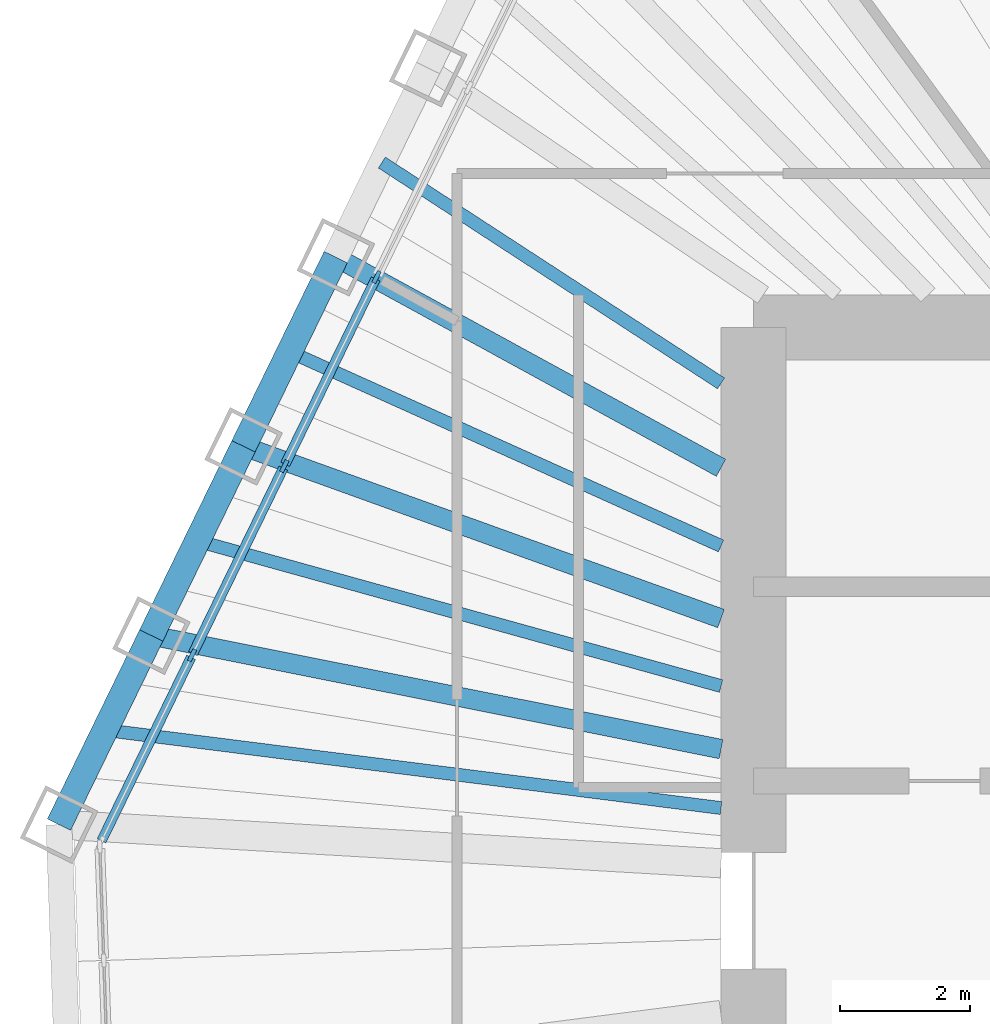
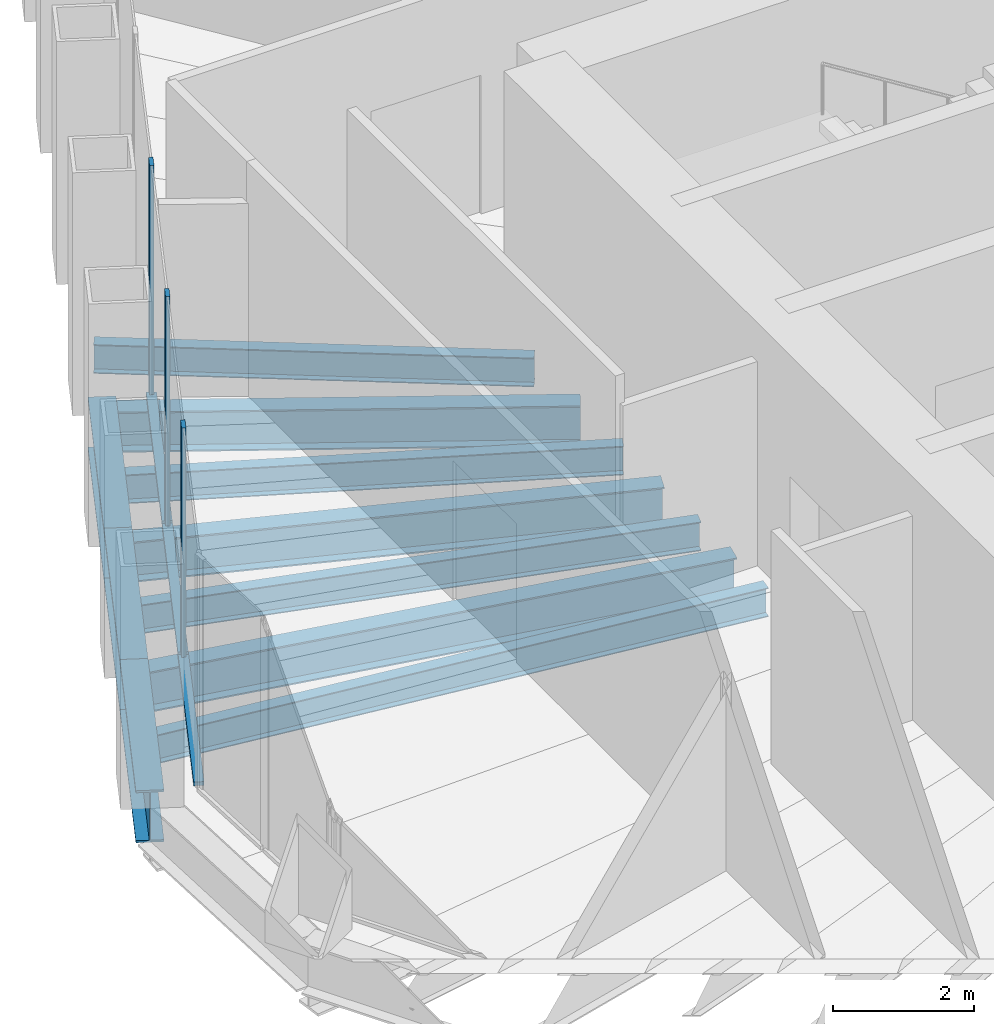
# One storey, part 4 of 14: 10 beams, 6 members, 1 element without a shape of its own.
"""IFC4 building model written with IfcOpenShell, lengths in metres."""

from ifc_helpers import new_model, si_unit, direction, frame, origin, origin_2d, place, context, subcontext, project, spatial, rectangle, i_section, extrude, material, material_profile, profile_set, type_object, element, aggregate, save


model = new_model("IFC4")

# Units and contexts
model_context = context("Model", 3, precision=1e-05, world=origin(), true_north=direction((0.0, 1.0)))
body_context = subcontext(model_context, "Body", "Model", "MODEL_VIEW")
ifc_project = project(units=[si_unit("LENGTHUNIT", "METRE"), si_unit("AREAUNIT", "SQUARE_METRE"), si_unit("VOLUMEUNIT", "CUBIC_METRE"), si_unit("PLANEANGLEUNIT", "RADIAN"), si_unit("MASSUNIT", "GRAM", prefix="KILO")], contexts=[model_context])

# Site, building, storey
site_placement = place(None, origin())
site = spatial("IfcSite", under=ifc_project, at=site_placement, CompositionType="ELEMENT")
building_placement = place(site_placement, origin())
building = spatial("IfcBuilding", under=site, at=building_placement, Name="Qingtian Harvest Tower", CompositionType="ELEMENT")
storey_placement = place(building_placement, frame((0.0, 0.0, 291.39990234375)))
storey = spatial("IfcBuildingStorey", under=building, at=storey_placement, Name="L64", CompositionType="ELEMENT", Elevation=291.39990234375)

# Beams
ifc_material_1 = material(Name="Steel SN490B", Category="steel")
ifc_material_profile_1 = material_profile(ifc_material_1, i_section(OverallWidth=0.300048828125, OverallDepth=0.699951171875, WebThickness=0.012939453125, FlangeThickness=0.02392578125, at=origin_2d()), Name="H700x300x13x24")
ifc_profile_set_1 = profile_set([ifc_material_profile_1], Name="Steel SN490B")
beam_type_1 = type_object("IfcBeamType", Name="Floor beam FB4 H700x300x13x24", PredefinedType="BEAM", material=ifc_profile_set_1)
beam_1_placement = place(storey_placement, frame((-21.29345703125, 4.246337890625, -0.52001953125), z_axis=(0.980688391079, -0.195576786971, 0.0), x_axis=(0.195576786971, 0.980688391079, 0.0)))
element("IfcBeam", 1, at=beam_1_placement, inside=storey, type_object=beam_type_1, Name="Floor beam FB4 NW1", PredefinedType="BEAM", context=body_context, shape_type="SweptSolid", body=[
    extrude(i_section(OverallWidth=0.300048828125, OverallDepth=0.699951171875, WebThickness=0.012939453125, FlangeThickness=0.02392578125, at=origin_2d()), origin(), (0.0, 0.0, 1.0), 8.966552734375),
])
beam_2_placement = place(storey_placement, frame((-19.86962890625, 7.165771484375, -0.52001953125), z_axis=(0.940688220757, -0.339272267256, 0.0), x_axis=(0.339272267256, 0.940688220757, 0.0)))
element("IfcBeam", 2, at=beam_2_placement, inside=storey, type_object=beam_type_1, Name="Floor beam FB4 NW2", PredefinedType="BEAM", context=body_context, shape_type="SweptSolid", body=[
    extrude(i_section(OverallWidth=0.300048828125, OverallDepth=0.699951171875, WebThickness=0.012939453125, FlangeThickness=0.02392578125, at=origin_2d()), origin(), (0.0, 0.0, 1.0), 7.834228515625),
])
beam_3_placement = place(storey_placement, frame((-18.44580078125, 10.0849609375, -0.52001953125), z_axis=(0.877425639682, -0.479712671116, 0.0), x_axis=(0.479712671116, 0.877425639682, 0.0)))
element("IfcBeam", 3, at=beam_3_placement, inside=storey, type_object=beam_type_1, Name="Floor beam FB4 NW3", PredefinedType="BEAM", context=body_context, shape_type="SweptSolid", body=[
    extrude(i_section(OverallWidth=0.300048828125, OverallDepth=0.699951171875, WebThickness=0.012939453125, FlangeThickness=0.02392578125, at=origin_2d()), origin(), (0.0, 0.0, 1.0), 6.7763671875),
])
ifc_material_2 = material(Name="Steel SN490B", Category="steel")
ifc_material_profile_2 = material_profile(ifc_material_2, i_section(OverallWidth=0.199951171875, OverallDepth=0.5, WebThickness=0.010009765625, FlangeThickness=0.01611328125, at=origin_2d()), Name="H500x200x10x16")
ifc_profile_set_2 = profile_set([ifc_material_profile_2], Name="Steel SN490B")
beam_type_2 = type_object("IfcBeamType", Name="Floor joist J3 H500x200x10x16", PredefinedType="JOIST", material=ifc_profile_set_2)
beam_4_placement = place(storey_placement, frame((-22.00537109375, 2.78662109375, -0.419921875), z_axis=(0.992078247837, -0.125621455844, 0.0), x_axis=(0.125621455844, 0.992078247837, 0.0)))
element("IfcBeam", 4, at=beam_4_placement, inside=storey, type_object=beam_type_2, Name="Floor joist J3 NW0", PredefinedType="JOIST", context=body_context, shape_type="SweptSolid", body=[
    extrude(i_section(OverallWidth=0.199951171875, OverallDepth=0.5, WebThickness=0.010009765625, FlangeThickness=0.01611328125, at=origin_2d()), origin(), (0.0, 0.0, 1.0), 9.581298828125),
])
beam_5_placement = place(storey_placement, frame((-20.58154296875, 5.7060546875, -0.419921875), z_axis=(0.963652918134, -0.267157356949, 0.0), x_axis=(0.267157356949, 0.963652918134, 0.0)))
element("IfcBeam", 5, at=beam_5_placement, inside=storey, type_object=beam_type_2, Name="Floor joist J3 NW1", PredefinedType="JOIST", context=body_context, shape_type="SweptSolid", body=[
    extrude(i_section(OverallWidth=0.199951171875, OverallDepth=0.5, WebThickness=0.010009765625, FlangeThickness=0.01611328125, at=origin_2d()), origin(), (0.0, 0.0, 1.0), 8.386474609375),
])
beam_6_placement = place(storey_placement, frame((-19.15771484375, 8.625244140625, -0.419921875), z_axis=(0.911852669976, -0.410517610168, 0.0), x_axis=(0.410517610168, 0.911852669976, 0.0)))
element("IfcBeam", 6, at=beam_6_placement, inside=storey, type_object=beam_type_2, Name="Floor joist J3 NW2", PredefinedType="JOIST", context=body_context, shape_type="SweptSolid", body=[
    extrude(i_section(OverallWidth=0.199951171875, OverallDepth=0.5, WebThickness=0.010009765625, FlangeThickness=0.01611328125, at=origin_2d()), origin(), (0.0, 0.0, 1.0), 7.30126953125),
])
beam_7_placement = place(storey_placement, frame((-17.73388671875, 11.544677734375, -0.419921875), z_axis=(0.838062930903, -0.545573573266, 0.0), x_axis=(0.545573573266, 0.838062930903, 0.0)))
element("IfcBeam", 7, at=beam_7_placement, inside=storey, type_object=beam_type_2, Name="Floor joist J3 NW3", PredefinedType="JOIST", context=body_context, shape_type="SweptSolid", body=[
    extrude(i_section(OverallWidth=0.199951171875, OverallDepth=0.5, WebThickness=0.010009765625, FlangeThickness=0.01611328125, at=origin_2d()), origin(), (0.0, 0.0, 1.0), 6.2451171875),
])

# Curtain wall, members
ifc_material_3 = material(Name="Bronze-anodised aluminium curtain wall", Category="aluminium")
curtain_wall_type = type_object("IfcCurtainWallType", Name="Curtain wall CW5 upper office", PredefinedType="USERDEFINED", material=ifc_material_3)
curtain_wall_placement = place(storey_placement, origin())
curtain_wall = element("IfcCurtainWall", 8, at=curtain_wall_placement, inside=storey, type_object=curtain_wall_type, Name="Curtain wall CW5 L64 NW0-5", ObjectType="RECESSED CURTAIN WALL", PredefinedType="USERDEFINED")
ifc_material_4 = material(Name="Bronze-anodised aluminium mullion", Category="aluminium")
ifc_material_profile_3 = material_profile(ifc_material_4, rectangle(XDim=0.06494140625, YDim=0.199951171875, at=origin_2d()), Name="AL 65x200")
ifc_profile_set_3 = profile_set([ifc_material_profile_3], Name="Bronze-anodised aluminium mullion")
member_type_1 = type_object("IfcMemberType", Name="Mullion CWM 65x200", PredefinedType="MULLION", material=ifc_profile_set_3)
member_1_placement = place(storey_placement, frame((-20.664306640625, 3.939453125, 0.0), z_axis=(0.0, 0.0, 1.0), x_axis=(-0.898794046299, 0.438371146789, 0.0)))
member_1 = element("IfcMember", 9, at=member_1_placement, type_object=member_type_1, Name="CW5 mullion 2", PredefinedType="MULLION", context=body_context, shape_type="SweptSolid", body=[
    extrude(rectangle(XDim=0.06494140625, YDim=0.199951171875, at=origin_2d()), origin(), (0.0, 0.0, 1.0), 4.030029296875),
])
member_2_placement = place(storey_placement, frame((-19.240478515625, 6.85888671875, 0.0), z_axis=(0.0, 0.0, 1.0), x_axis=(-0.898794046299, 0.438371146789, 0.0)))
member_2 = element("IfcMember", 10, at=member_2_placement, type_object=member_type_1, Name="CW5 mullion 3", PredefinedType="MULLION", context=body_context, shape_type="SweptSolid", body=[
    extrude(rectangle(XDim=0.06494140625, YDim=0.199951171875, at=origin_2d()), origin(), (0.0, 0.0, 1.0), 4.030029296875),
])
member_3_placement = place(storey_placement, frame((-17.816650390625, 9.778076171875, 0.0), z_axis=(0.0, 0.0, 1.0), x_axis=(-0.898794046299, 0.438371146789, 0.0)))
member_3 = element("IfcMember", 11, at=member_3_placement, type_object=member_type_1, Name="CW5 mullion 4", PredefinedType="MULLION", context=body_context, shape_type="SweptSolid", body=[
    extrude(rectangle(XDim=0.06494140625, YDim=0.199951171875, at=origin_2d()), origin(), (0.0, 0.0, 1.0), 4.030029296875),
])

# Beams
ifc_material_5 = material(Name="Steel SN490B", Category="steel")
ifc_material_profile_4 = material_profile(ifc_material_5, i_section(OverallWidth=0.39990234375, OverallDepth=0.89990234375, WebThickness=0.01904296875, FlangeThickness=0.035888671875, at=origin_2d()), Name="H900x400x19x36")
ifc_profile_set_4 = profile_set([ifc_material_profile_4], Name="Steel SN490B")
beam_type_3 = type_object("IfcBeamType", Name="Spandrel beam SB4 H900x400x19x36", PredefinedType="SPANDREL", material=ifc_profile_set_4)
beam_8_placement = place(storey_placement, frame((-22.71728515625, 1.3271484375, -0.449951171875), z_axis=(0.438382164311, 0.898788672611, 0.0), x_axis=(-0.898788672611, 0.438382164311, 0.0)))
element("IfcBeam", 12, at=beam_8_placement, inside=storey, type_object=beam_type_3, Name="Spandrel SB4 NW0", PredefinedType="SPANDREL", context=body_context, shape_type="SweptSolid", body=[
    extrude(i_section(OverallWidth=0.39990234375, OverallDepth=0.89990234375, WebThickness=0.01904296875, FlangeThickness=0.035888671875, at=origin_2d()), origin(), (0.0, 0.0, 1.0), 3.247802734375),
])
beam_9_placement = place(storey_placement, frame((-21.29345703125, 4.246337890625, -0.449951171875), z_axis=(0.438352548749, 0.898803116931, 0.0), x_axis=(-0.898803116931, 0.438352548749, 0.0)))
element("IfcBeam", 13, at=beam_9_placement, inside=storey, type_object=beam_type_3, Name="Spandrel SB4 NW1", PredefinedType="SPANDREL", context=body_context, shape_type="SweptSolid", body=[
    extrude(i_section(OverallWidth=0.39990234375, OverallDepth=0.89990234375, WebThickness=0.01904296875, FlangeThickness=0.035888671875, at=origin_2d()), origin(), (0.0, 0.0, 1.0), 3.248046875),
])
beam_10_placement = place(storey_placement, frame((-19.86962890625, 7.165771484375, -0.449951171875), z_axis=(0.438382164311, 0.898788672611, 0.0), x_axis=(-0.898788672611, 0.438382164311, 0.0)))
element("IfcBeam", 14, at=beam_10_placement, inside=storey, type_object=beam_type_3, Name="Spandrel SB4 NW2", PredefinedType="SPANDREL", context=body_context, shape_type="SweptSolid", body=[
    extrude(i_section(OverallWidth=0.39990234375, OverallDepth=0.89990234375, WebThickness=0.01904296875, FlangeThickness=0.035888671875, at=origin_2d()), origin(), (0.0, 0.0, 1.0), 3.247802734375),
])

# Member
ifc_material_6 = material(Name="Bronze-anodised aluminium transom", Category="aluminium")
ifc_material_profile_5 = material_profile(ifc_material_6, rectangle(XDim=0.14990234375, YDim=0.06494140625, at=origin_2d()), Name="AL 65x150")
ifc_profile_set_5 = profile_set([ifc_material_profile_5], Name="Bronze-anodised aluminium transom")
member_type_2 = type_object("IfcMemberType", Name="Transom CWT 65x150", PredefinedType="USERDEFINED", material=ifc_profile_set_5)
member_4_placement = place(storey_placement, frame((-22.059814453125, 1.07861328125, 0.03271484375), z_axis=(0.438357982629, 0.89880046677, 0.0), x_axis=(-0.89880046677, 0.438357982629, 0.0)))
member_4 = element("IfcMember", 15, at=member_4_placement, type_object=member_type_2, Name="CW5 transom 1.1", ObjectType="TRANSOM", PredefinedType="USERDEFINED", context=body_context, shape_type="SweptSolid", body=[
    extrude(rectangle(XDim=0.14990234375, YDim=0.06494140625, at=origin_2d()), origin(), (0.0, 0.0, 1.0), 3.150634765625),
])

member_5_placement = place(storey_placement, frame((-20.650146484375, 3.96875, 0.03271484375), z_axis=(0.438355626738, 0.898801615768, 0.0), x_axis=(-0.898801615768, 0.438355626738, 0.0)))
member_5 = element("IfcMember", 16, at=member_5_placement, type_object=member_type_2, Name="CW5 transom 2.1", ObjectType="TRANSOM", PredefinedType="USERDEFINED", context=body_context, shape_type="SweptSolid", body=[
    extrude(rectangle(XDim=0.14990234375, YDim=0.06494140625, at=origin_2d()), origin(), (0.0, 0.0, 1.0), 3.182861328125),
])

member_6_placement = place(storey_placement, frame((-19.226318359375, 6.887939453125, 0.03271484375), z_axis=(0.438325408134, 0.898816353091, 0.0), x_axis=(-0.898816353091, 0.438325408134, 0.0)))
member_6 = element("IfcMember", 17, at=member_6_placement, type_object=member_type_2, Name="CW5 transom 3.1", ObjectType="TRANSOM", PredefinedType="USERDEFINED", context=body_context, shape_type="SweptSolid", body=[
    extrude(rectangle(XDim=0.14990234375, YDim=0.06494140625, at=origin_2d()), origin(), (0.0, 0.0, 1.0), 3.18310546875),
])

aggregate(curtain_wall, [member_1, member_2, member_3, member_4, member_5, member_6])

save(model, "model.ifc")
